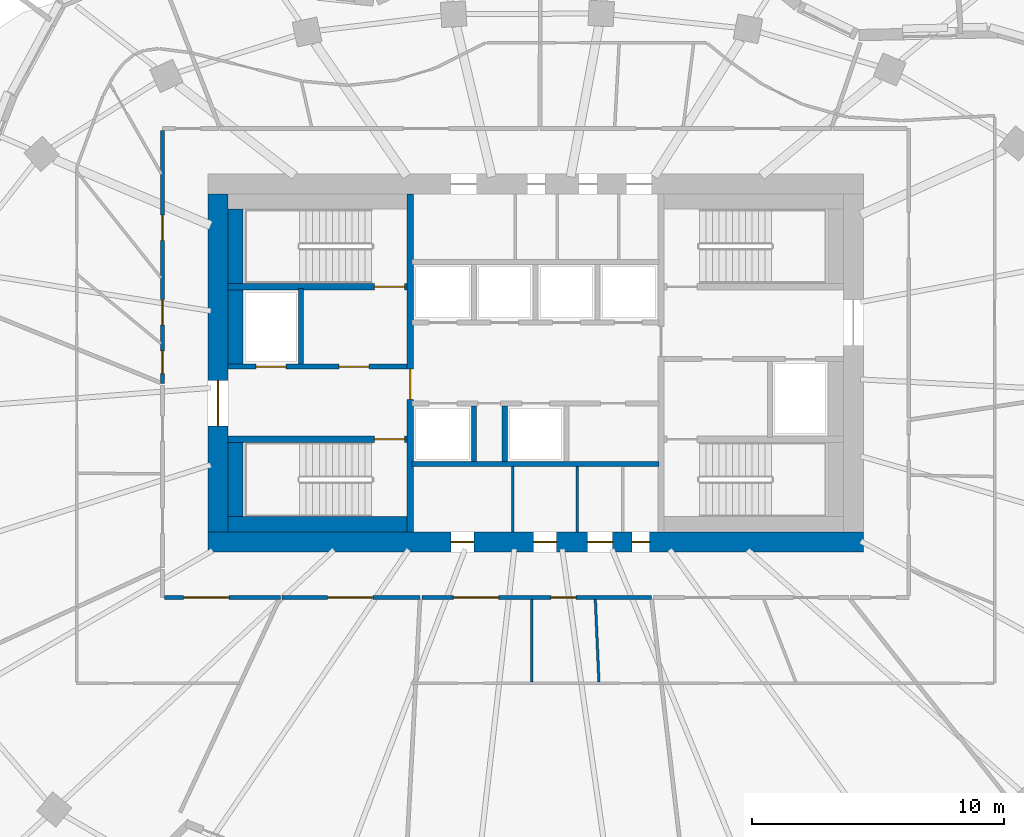
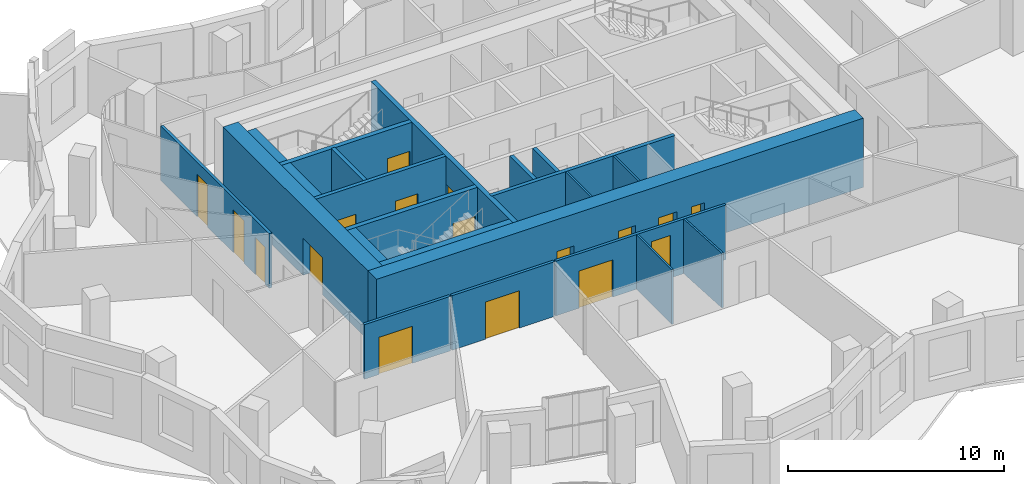
# One storey, part 6 of 13: 22 walls, 17 doors, 17 openings.
"""IFC4 building model written with IfcOpenShell, lengths in metres."""

import ifcopenshell
import ifcopenshell.guid

model = None  # the IFC model being written
_history = None  # IfcOwnerHistory: only IFC2X3 demands one
_inside = {}  # id of a spatial element -> (the spatial element, [elements in it])
_under = {}  # id of a project, library or spatial element -> (it, [spatial elements below it])
_declared = {}  # id of a project -> (the project, [libraries it declares])
_typed = {}  # id of a type object -> (the type object, [elements of that type])
_made_of = {}  # id of a material, layer set ... -> (it, [elements and type objects made of it])


def new_model(schema):
    """Start an empty IFC model of exactly this schema.

    Asked for "IFC4X3", IfcOpenShell would pick the latest addendum, in which some entities
    have other attributes; the version numbers below select the first issue.
    IFC2X3 requires an IfcOwnerHistory on every rooted entity: one is made here for all.
    """
    global model, _history
    if schema == "IFC4X3":
        model = ifcopenshell.file(schema_version=(4, 3, 0, 0))
    else:
        model = ifcopenshell.file(schema=schema)
    _inside.clear()
    _under.clear()
    _declared.clear()
    _typed.clear()
    _made_of.clear()
    _history = None
    if model.schema == "IFC2X3":
        org = make("IfcOrganization", Name="unknown")
        user = make(
            "IfcPersonAndOrganization",
            ThePerson=make("IfcPerson", FamilyName="unknown"),
            TheOrganization=org,
        )
        app = make(
            "IfcApplication",
            ApplicationDeveloper=org,
            Version="unknown",
            ApplicationFullName="unknown",
            ApplicationIdentifier="unknown",
        )
        _history = make(
            "IfcOwnerHistory",
            OwningUser=user,
            OwningApplication=app,
            ChangeAction="ADDED",
            CreationDate=0,
        )
    return model


def make(cls, **values):
    """One entity of the class cls with the attributes given. An attribute that is None is left unset."""
    return model.create_entity(
        cls, **{name: value for name, value in values.items() if value is not None}
    )


def rooted(cls, **values):
    """An entity with a GlobalId (a new one), such as an element, a storey or a relation."""
    return make(cls, GlobalId=ifcopenshell.guid.new(), OwnerHistory=_history, **values)


def si_unit(unit_type, name, prefix=None):
    """IfcSIUnit, for example si_unit("LENGTHUNIT", "METRE", prefix="MILLI")."""
    return make("IfcSIUnit", UnitType=unit_type, Prefix=prefix, Name=name)


def assignment(units):
    """IfcUnitAssignment: the units of a project."""
    return None if units is None else make("IfcUnitAssignment", Units=units)


def point(xyz):
    """IfcCartesianPoint."""
    return None if xyz is None else make("IfcCartesianPoint", Coordinates=xyz)


def direction(xyz):
    """IfcDirection."""
    return None if xyz is None else make("IfcDirection", DirectionRatios=xyz)


def frame(location, z_axis=None, x_axis=None):
    """IfcAxis2Placement3D, a coordinate frame: its origin and axes. An axis left out is left unset."""
    return make(
        "IfcAxis2Placement3D",
        Location=point(location),
        Axis=direction(z_axis),
        RefDirection=direction(x_axis),
    )


def frame_2d(location, x_axis=None):
    """IfcAxis2Placement2D, a coordinate frame in the plane: its origin and x axis."""
    return make(
        "IfcAxis2Placement2D", Location=point(location), RefDirection=direction(x_axis)
    )


def origin():
    """The frame at (0, 0, 0) with its axes left unset."""
    return frame((0.0, 0.0, 0.0))


def place(relative_to, where):
    """IfcLocalPlacement: puts the frame where relative to a parent placement (None: the world)."""
    return make(
        "IfcLocalPlacement", PlacementRelTo=relative_to, RelativePlacement=where
    )


def context(
    kind, dimensions, precision=None, world=None, true_north=None, identifier=None
):
    """IfcGeometricRepresentationContext, for example the 3D "Model" context."""
    return make(
        "IfcGeometricRepresentationContext",
        ContextIdentifier=identifier,
        ContextType=kind,
        CoordinateSpaceDimension=dimensions,
        Precision=precision,
        WorldCoordinateSystem=world,
        TrueNorth=true_north,
    )


def subcontext(parent, identifier, kind, view, scale=None):
    """IfcGeometricRepresentationSubContext, for example "Body" below "Model"."""
    return make(
        "IfcGeometricRepresentationSubContext",
        ContextIdentifier=identifier,
        ContextType=kind,
        ParentContext=parent,
        TargetScale=scale,
        TargetView=view,
    )


def project(units=None, contexts=None):
    """IfcProject with its units and contexts."""
    return rooted(
        "IfcProject",
        Name="project",
        RepresentationContexts=contexts,
        UnitsInContext=assignment(units),
    )


def spatial(cls, under=None, at=None, **own):
    """A site, building, storey or space (cls), placed at a placement, below another one or the project."""
    s = rooted(cls, ObjectPlacement=at, **own)
    if under is not None:
        _under.setdefault(under.id(), (under, []))[1].append(s)
    return s


def profile(cls, at=None, kind="AREA", **sizes):
    """A parametric profile (cls). Its sizes go by their IFC names, for example OverallWidth=200.0."""
    return make(cls, ProfileType=kind, Position=at, **sizes)


def rectangle(**sizes):
    """IfcRectangleProfileDef."""
    return profile("IfcRectangleProfileDef", **sizes)


def extrude(swept, where, along, depth):
    """IfcExtrudedAreaSolid: the profile swept, set in the frame where, extruded along a direction by depth."""
    return make(
        "IfcExtrudedAreaSolid",
        SweptArea=swept,
        Position=where,
        ExtrudedDirection=direction(along),
        Depth=depth,
    )


def shape(context_of_items, identifier, shape_type, items):
    """IfcShapeRepresentation: the items that make up one representation, for example the "Body"."""
    return make(
        "IfcShapeRepresentation",
        ContextOfItems=context_of_items,
        RepresentationIdentifier=identifier,
        RepresentationType=shape_type,
        Items=items,
    )


def material(Name=None, Category=None):
    """IfcMaterial."""
    return make("IfcMaterial", Name=Name, Category=Category)


def layer(
    of_material, thickness, ventilated=None, Name=None, Category=None, Priority=None
):
    """IfcMaterialLayer: one layer of a wall or slab, of a material (None: an air gap)."""
    return make(
        "IfcMaterialLayer",
        Material=of_material,
        LayerThickness=thickness,
        IsVentilated=ventilated,
        Name=Name,
        Category=Category,
        Priority=Priority,
    )


def layer_set(layers, Name=None):
    """IfcMaterialLayerSet."""
    return make("IfcMaterialLayerSet", MaterialLayers=layers, LayerSetName=Name)


def made_of(thing, what):
    """Note that an element or type object is made of a material, layer set ...; save() writes the relation."""
    if what is not None:
        _made_of.setdefault(what.id(), (what, []))[1].append(thing)
    return thing


def type_object(cls, material=None, **own):
    """A type object (cls), such as IfcWallType, which elements share."""
    return made_of(rooted(cls, **own), material)


def element(
    cls,
    number,
    at=None,
    inside=None,
    cuts=None,
    type_object=None,
    material=None,
    context=None,
    identifier="Body",
    shape_type=None,
    held_by="IfcProductDefinitionShape",
    body=None,
    shapes=None,
    **own,
):
    """One element of the class cls, such as IfcWall. Its Tag is "e" and its number.

    at: its placement. inside: the storey or other place that contains it. cuts: it is an
    opening in that element (IfcRelVoidsElement). A single representation is given by context,
    identifier, shape_type and body (its items); several are given by shapes. held_by: the class
    of the entity that holds the representations. save() writes the other relations.
    """
    e = rooted(cls, Tag="e%d" % number, ObjectPlacement=at, **own)
    if body is not None:
        shapes = [shape(context, identifier, shape_type, body)]
    if shapes is not None:
        e.Representation = make(held_by, Representations=shapes)
    if inside is not None:
        _inside.setdefault(inside.id(), (inside, []))[1].append(e)
    if cuts is not None:
        rooted(
            "IfcRelVoidsElement", RelatingBuildingElement=cuts, RelatedOpeningElement=e
        )
    if type_object is not None:
        _typed.setdefault(type_object.id(), (type_object, []))[1].append(e)
    return made_of(e, material)


def fill(opening, filler):
    """IfcRelFillsElement: the door or window that sits in an opening."""
    return rooted(
        "IfcRelFillsElement",
        RelatingOpeningElement=opening,
        RelatedBuildingElement=filler,
    )


def aggregate(whole, parts):
    """IfcRelAggregates: a whole, such as a stair, and the parts it consists of."""
    return rooted("IfcRelAggregates", RelatingObject=whole, RelatedObjects=parts)


def save(model, path):
    """Write the relations noted so far, then the file.

    IfcRelAggregates (storeys below a building ...), IfcRelContainedInSpatialStructure (elements
    in a storey), IfcRelDefinesByType, IfcRelAssociatesMaterial and IfcRelDeclares: one each for
    every whole, place, type object, material and project.
    """
    for whole, parts in _under.values():
        aggregate(whole, parts)
    for where, things in _inside.values():
        rooted(
            "IfcRelContainedInSpatialStructure",
            RelatedElements=things,
            RelatingStructure=where,
        )
    for kind, things in _typed.values():
        rooted("IfcRelDefinesByType", RelatedObjects=things, RelatingType=kind)
    for what, things in _made_of.values():
        rooted("IfcRelAssociatesMaterial", RelatedObjects=things, RelatingMaterial=what)
    for by, libraries in _declared.values():
        rooted("IfcRelDeclares", RelatingContext=by, RelatedDefinitions=libraries)
    model.write(path)


model = new_model("IFC4")

# Units and contexts
model_context = context("Model", 3, precision=1e-05, world=origin(), true_north=direction((0.0, 1.0)))
body_context = subcontext(model_context, "Body", "Model", "MODEL_VIEW")
ifc_project = project(units=[si_unit("LENGTHUNIT", "METRE"), si_unit("AREAUNIT", "SQUARE_METRE"), si_unit("VOLUMEUNIT", "CUBIC_METRE"), si_unit("PLANEANGLEUNIT", "RADIAN"), si_unit("MASSUNIT", "GRAM", prefix="KILO")], contexts=[model_context])

# Site, building, storey
site_placement = place(None, origin())
site = spatial("IfcSite", under=ifc_project, at=site_placement, CompositionType="ELEMENT")
building_placement = place(site_placement, origin())
building = spatial("IfcBuilding", under=site, at=building_placement, Name="Rubra Terraces Tower", CompositionType="ELEMENT")
storey_placement = place(building_placement, frame((0.0, 0.0, 252.60009765625)))
storey = spatial("IfcBuildingStorey", under=building, at=storey_placement, Name="L62", CompositionType="ELEMENT", Elevation=252.60009765625)

# Wall, openings, doors
ifc_material_1 = material(Name="Concrete C50", Category="concrete")
ifc_layer_1 = layer(ifc_material_1, 0.800048828125)
ifc_layer_set_1 = layer_set([ifc_layer_1], Name="Concrete C50")
wall_type_1 = type_object("IfcWallType", Name="CORE WALL 800 C50", PredefinedType="SHEAR", material=ifc_layer_set_1)
wall_1_placement = place(storey_placement, frame((-13.0, -2.60009765625, 0.0), z_axis=(0.0, 0.0, 1.0), x_axis=(1.0, 0.0, 0.0)))
wall_1 = element("IfcWall", 1, at=wall_1_placement, inside=storey, type_object=wall_type_1, Name="CORE WALL S L62", PredefinedType="SHEAR", context=body_context, shape_type="SweptSolid", body=[
    extrude(rectangle(XDim=26.0, YDim=0.800048828125, at=frame_2d((13.0, 0.0))), origin(), (0.0, 0.0, 1.0), 3.89990234375),
])
opening_1_placement = place(wall_1_placement, frame((9.64990234375, 0.0, 0.0)))
opening_1 = element("IfcOpeningElement", 2, at=opening_1_placement, cuts=wall_1, Name="Opening L62.C21", PredefinedType="OPENING", context=body_context, shape_type="SweptSolid", body=[
    extrude(rectangle(XDim=0.89990234375, YDim=2.10009765625, at=frame_2d((0.449951171875, 1.050048828125))), frame((0.0, 0.409912109375, 0.0), z_axis=(0.0, -1.0, 0.0), x_axis=(1.0, 0.0, 0.0)), (0.0, 0.0, 1.0), 0.820068359375),
])
opening_2_placement = place(wall_1_placement, frame((12.925048828125, 0.0, 0.0)))
opening_2 = element("IfcOpeningElement", 3, at=opening_2_placement, cuts=wall_1, Name="Opening L62.C22", PredefinedType="OPENING", context=body_context, shape_type="SweptSolid", body=[
    extrude(rectangle(XDim=0.89990234375, YDim=2.10009765625, at=frame_2d((0.449951171875, 1.050048828125))), frame((0.0, 0.409912109375, 0.0), z_axis=(0.0, -1.0, 0.0), x_axis=(1.0, 0.0, 0.0)), (0.0, 0.0, 1.0), 0.820068359375),
])
opening_3_placement = place(wall_1_placement, frame((15.050048828125, 0.0, 0.0)))
opening_3 = element("IfcOpeningElement", 4, at=opening_3_placement, cuts=wall_1, Name="Opening L62.C23", PredefinedType="OPENING", context=body_context, shape_type="SweptSolid", body=[
    extrude(rectangle(XDim=1.0, YDim=2.10009765625, at=frame_2d((0.5, 1.050048828125))), frame((0.0, 0.409912109375, 0.0), z_axis=(0.0, -1.0, 0.0), x_axis=(1.0, 0.0, 0.0)), (0.0, 0.0, 1.0), 0.820068359375),
])
opening_4_placement = place(wall_1_placement, frame((16.824951171875, 0.0, 0.0)))
opening_4 = element("IfcOpeningElement", 5, at=opening_4_placement, cuts=wall_1, Name="Opening L62.C24", PredefinedType="OPENING", context=body_context, shape_type="SweptSolid", body=[
    extrude(rectangle(XDim=0.699951171875, YDim=2.10009765625, at=frame_2d((0.35009765625, 1.050048828125))), frame((0.0, 0.409912109375, 0.0), z_axis=(0.0, -1.0, 0.0), x_axis=(1.0, 0.0, 0.0)), (0.0, 0.0, 1.0), 0.820068359375),
])
ifc_material_2 = material(Name="Painted steel", Category="steel")
door_type_1 = type_object("IfcDoorType", Name="Fire door 1000x2100 single", OperationType="NOTDEFINED", PredefinedType="DOOR", material=ifc_material_2)
door_1_placement = place(opening_3_placement, origin())
door_1 = element("IfcDoor", 6, at=door_1_placement, inside=storey, type_object=door_type_1, Name="Accessible WC door", OperationType="SINGLE_SWING_LEFT", OverallHeight=2.10009765625, OverallWidth=1.0, PredefinedType="DOOR", context=body_context, shape_type="SweptSolid", body=[
    extrude(rectangle(XDim=1.0, YDim=2.10009765625, at=frame_2d((0.5, 1.050048828125))), frame((0.0, 0.02490234375, 0.0), z_axis=(0.0, -1.0, 0.0), x_axis=(1.0, 0.0, 0.0)), (0.0, 0.0, 1.0), 0.050048828125),
])
fill(opening_3, door_1)
door_type_2 = type_object("IfcDoorType", Name="Fire door 900x2100 single", OperationType="NOTDEFINED", PredefinedType="DOOR", material=ifc_material_2)
door_2_placement = place(opening_1_placement, origin())
door_2 = element("IfcDoor", 7, at=door_2_placement, inside=storey, type_object=door_type_2, Name="Ladies WC door", OperationType="SINGLE_SWING_LEFT", OverallHeight=2.10009765625, OverallWidth=0.89990234375, PredefinedType="DOOR", context=body_context, shape_type="SweptSolid", body=[
    extrude(rectangle(XDim=0.89990234375, YDim=2.10009765625, at=frame_2d((0.449951171875, 1.050048828125))), frame((0.0, 0.02490234375, 0.0), z_axis=(0.0, -1.0, 0.0), x_axis=(1.0, 0.0, 0.0)), (0.0, 0.0, 1.0), 0.050048828125),
])
fill(opening_1, door_2)
door_3_placement = place(opening_2_placement, origin())
door_3 = element("IfcDoor", 8, at=door_3_placement, inside=storey, type_object=door_type_2, Name="Gents WC door", OperationType="SINGLE_SWING_RIGHT", OverallHeight=2.10009765625, OverallWidth=0.89990234375, PredefinedType="DOOR", context=body_context, shape_type="SweptSolid", body=[
    extrude(rectangle(XDim=0.89990234375, YDim=2.10009765625, at=frame_2d((0.449951171875, 1.050048828125))), frame((0.0, 0.02490234375, 0.0), z_axis=(0.0, -1.0, 0.0), x_axis=(1.0, 0.0, 0.0)), (0.0, 0.0, 1.0), 0.050048828125),
])
fill(opening_2, door_3)
door_type_3 = type_object("IfcDoorType", Name="Riser access door 700x2100 single", OperationType="NOTDEFINED", PredefinedType="DOOR", material=ifc_material_2)
door_4_placement = place(opening_4_placement, origin())
door_4 = element("IfcDoor", 9, at=door_4_placement, inside=storey, type_object=door_type_3, Name="Water and drainage riser door", OperationType="SINGLE_SWING_RIGHT", OverallHeight=2.10009765625, OverallWidth=0.699951171875, PredefinedType="DOOR", context=body_context, shape_type="SweptSolid", body=[
    extrude(rectangle(XDim=0.699951171875, YDim=2.10009765625, at=frame_2d((0.35009765625, 1.050048828125))), frame((0.0, 0.02490234375, 0.0), z_axis=(0.0, -1.0, 0.0), x_axis=(1.0, 0.0, 0.0)), (0.0, 0.0, 1.0), 0.050048828125),
])
fill(opening_4, door_4)

# Wall, opening, door
wall_2_placement = place(storey_placement, frame((-12.60009765625, -2.199951171875, 0.0), z_axis=(0.0, 0.0, 1.0), x_axis=(0.0, 1.0, 0.0)))
wall_2 = element("IfcWall", 10, at=wall_2_placement, inside=storey, type_object=wall_type_1, Name="CORE WALL W L62", PredefinedType="SHEAR", context=body_context, shape_type="SweptSolid", body=[
    extrude(rectangle(XDim=13.39990234375, YDim=0.800048828125, at=frame_2d((6.699951171875, 0.0))), origin(), (0.0, 0.0, 1.0), 3.89990234375),
])
opening_5_placement = place(wall_2_placement, frame((4.199951171875, 0.0, 0.0)))
opening_5 = element("IfcOpeningElement", 11, at=opening_5_placement, cuts=wall_2, Name="Opening L62.C01", PredefinedType="OPENING", context=body_context, shape_type="SweptSolid", body=[
    extrude(rectangle(XDim=1.800048828125, YDim=2.10009765625, at=frame_2d((0.89990234375, 1.050048828125))), frame((0.0, 0.409912109375, 0.0), z_axis=(0.0, -1.0, 0.0), x_axis=(1.0, 0.0, 0.0)), (0.0, 0.0, 1.0), 0.820068359375),
])
door_type_4 = type_object("IfcDoorType", Name="Fire door 1800x2100 double", OperationType="NOTDEFINED", PredefinedType="DOOR", material=ifc_material_2)
door_5_placement = place(opening_5_placement, origin())
door_5 = element("IfcDoor", 12, at=door_5_placement, inside=storey, type_object=door_type_4, Name="Core entrance door FF1", OperationType="DOUBLE_DOOR_SINGLE_SWING", OverallHeight=2.10009765625, OverallWidth=1.800048828125, PredefinedType="DOOR", context=body_context, shape_type="SweptSolid", body=[
    extrude(rectangle(XDim=1.800048828125, YDim=2.10009765625, at=frame_2d((0.89990234375, 1.050048828125))), frame((0.0, 0.02490234375, 0.0), z_axis=(0.0, -1.0, 0.0), x_axis=(1.0, 0.0, 0.0)), (0.0, 0.0, 1.0), 0.050048828125),
])
fill(opening_5, door_5)

# Wall, openings, doors
ifc_material_3 = material(Name="Plasterboard on steel stud, mineral wool infill", Category="steel")
ifc_layer_2 = layer(ifc_material_3, 0.14990234375)
ifc_layer_set_2 = layer_set([ifc_layer_2], Name="Plasterboard on steel stud, mineral wool infill")
wall_type_2 = type_object("IfcWallType", Name="CORRIDOR PARTITION 150", PredefinedType="PARTITIONING", material=ifc_layer_set_2)
wall_3_placement = place(storey_placement, frame((-14.800048828125, 13.72509765625, 0.0), z_axis=(0.0, 0.0, 1.0), x_axis=(0.0, -1.0, 0.0)))
wall_3 = element("IfcWall", 13, at=wall_3_placement, inside=storey, type_object=wall_type_2, Name="PARTITION", PredefinedType="PARTITIONING", context=body_context, shape_type="SweptSolid", body=[
    extrude(rectangle(XDim=10.038330078125, YDim=0.14990234375, at=frame_2d((5.01904296875, 0.0))), origin(), (0.0, 0.0, 1.0), 3.083984375),
])
opening_6_placement = place(wall_3_placement, frame((3.361083984375, 0.0, 0.0)))
opening_6 = element("IfcOpeningElement", 14, at=opening_6_placement, cuts=wall_3, Name="Opening 62-110", PredefinedType="OPENING", context=body_context, shape_type="SweptSolid", body=[
    extrude(rectangle(XDim=1.0, YDim=2.39990234375, at=frame_2d((0.5, 1.199951171875))), frame((0.0, 0.0849609375, 0.0), z_axis=(0.0, -1.0, 0.0), x_axis=(1.0, 0.0, 0.0)), (0.0, 0.0, 1.0), 0.169921875),
])
opening_7_placement = place(wall_3_placement, frame((6.7119140625, 0.0, 0.0)))
opening_7 = element("IfcOpeningElement", 15, at=opening_7_placement, cuts=wall_3, Name="Opening 62-111", PredefinedType="OPENING", context=body_context, shape_type="SweptSolid", body=[
    extrude(rectangle(XDim=1.0, YDim=2.39990234375, at=frame_2d((0.5, 1.199951171875))), frame((0.0, 0.0849609375, 0.0), z_axis=(0.0, -1.0, 0.0), x_axis=(1.0, 0.0, 0.0)), (0.0, 0.0, 1.0), 0.169921875),
])
opening_8_placement = place(wall_3_placement, frame((8.75, 0.0, 0.0)))
opening_8 = element("IfcOpeningElement", 16, at=opening_8_placement, cuts=wall_3, Name="Opening 62-132", PredefinedType="OPENING", context=body_context, shape_type="SweptSolid", body=[
    extrude(rectangle(XDim=0.89990234375, YDim=2.10009765625, at=frame_2d((0.449951171875, 1.050048828125))), frame((0.0, 0.0849609375, 0.0), z_axis=(0.0, -1.0, 0.0), x_axis=(1.0, 0.0, 0.0)), (0.0, 0.0, 1.0), 0.169921875),
])
ifc_material_4 = material(Name="Painted timber door leaf", Category="wood")
door_type_5 = type_object("IfcDoorType", Name="BATHROOM DOOR 900 X 2100", OperationType="SINGLE_SWING_LEFT", PredefinedType="DOOR", material=ifc_material_4)
door_6_placement = place(opening_8_placement, origin())
door_6 = element("IfcDoor", 17, at=door_6_placement, inside=storey, type_object=door_type_5, Name="DOOR 62-132", OperationType="SINGLE_SWING_RIGHT", OverallHeight=2.10009765625, OverallWidth=0.89990234375, PredefinedType="DOOR", context=body_context, shape_type="SweptSolid", body=[
    extrude(rectangle(XDim=0.89990234375, YDim=2.10009765625, at=frame_2d((0.449951171875, 1.050048828125))), frame((0.0, 0.02490234375, 0.0), z_axis=(0.0, -1.0, 0.0), x_axis=(1.0, 0.0, 0.0)), (0.0, 0.0, 1.0), 0.050048828125),
])
fill(opening_8, door_6)
ifc_material_5 = material(Name="Glazed aluminium meeting door leaf", Category="aluminium")
door_type_6 = type_object("IfcDoorType", Name="MEETING ROOM GLAZED DOOR 1000 X 2400", OperationType="SINGLE_SWING_LEFT", PredefinedType="DOOR", material=ifc_material_5)
door_7_placement = place(opening_6_placement, origin())
door_7 = element("IfcDoor", 18, at=door_7_placement, inside=storey, type_object=door_type_6, Name="DOOR 62-110", OperationType="SINGLE_SWING_RIGHT", OverallHeight=2.39990234375, OverallWidth=1.0, PredefinedType="DOOR", context=body_context, shape_type="SweptSolid", body=[
    extrude(rectangle(XDim=1.0, YDim=2.39990234375, at=frame_2d((0.5, 1.199951171875))), frame((0.0, 0.02490234375, 0.0), z_axis=(0.0, -1.0, 0.0), x_axis=(1.0, 0.0, 0.0)), (0.0, 0.0, 1.0), 0.050048828125),
])
fill(opening_6, door_7)
door_8_placement = place(opening_7_placement, origin())
door_8 = element("IfcDoor", 19, at=door_8_placement, inside=storey, type_object=door_type_6, Name="DOOR 62-111", OperationType="SINGLE_SWING_RIGHT", OverallHeight=2.39990234375, OverallWidth=1.0, PredefinedType="DOOR", context=body_context, shape_type="SweptSolid", body=[
    extrude(rectangle(XDim=1.0, YDim=2.39990234375, at=frame_2d((0.5, 1.199951171875))), frame((0.0, 0.02490234375, 0.0), z_axis=(0.0, -1.0, 0.0), x_axis=(1.0, 0.0, 0.0)), (0.0, 0.0, 1.0), 0.050048828125),
])
fill(opening_7, door_8)

# Wall, opening, door
wall_4_placement = place(storey_placement, frame((-14.72509765625, -4.800048828125, 0.0), z_axis=(0.0, 0.0, 1.0), x_axis=(1.0, 0.0, 0.0)))
wall_4 = element("IfcWall", 20, at=wall_4_placement, inside=storey, type_object=wall_type_2, Name="PARTITION", PredefinedType="PARTITIONING", context=body_context, shape_type="SweptSolid", body=[
    extrude(rectangle(XDim=4.599853515625, YDim=0.14990234375, at=frame_2d((2.2998046875, 0.0))), origin(), (0.0, 0.0, 1.0), 3.083984375),
])
opening_9_placement = place(wall_4_placement, frame((0.76904296875, 0.0, 0.0)))
opening_9 = element("IfcOpeningElement", 21, at=opening_9_placement, cuts=wall_4, Name="Opening 62-116", PredefinedType="OPENING", context=body_context, shape_type="SweptSolid", body=[
    extrude(rectangle(XDim=1.800048828125, YDim=2.10009765625, at=frame_2d((0.89990234375, 1.050048828125))), frame((0.0, 0.0849609375, 0.0), z_axis=(0.0, -1.0, 0.0), x_axis=(1.0, 0.0, 0.0)), (0.0, 0.0, 1.0), 0.169921875),
])
ifc_material_6 = material(Name="Painted timber door leaf, double", Category="wood")
door_type_7 = type_object("IfcDoorType", Name="ROOM DOUBLE DOOR 1800 X 2100", OperationType="DOUBLE_DOOR_SINGLE_SWING", PredefinedType="DOOR", material=ifc_material_6)
door_9_placement = place(opening_9_placement, origin())
door_9 = element("IfcDoor", 22, at=door_9_placement, inside=storey, type_object=door_type_7, Name="DOOR 62-116", OperationType="DOUBLE_DOOR_SINGLE_SWING", OverallHeight=2.10009765625, OverallWidth=1.800048828125, PredefinedType="DOOR", context=body_context, shape_type="SweptSolid", body=[
    extrude(rectangle(XDim=1.800048828125, YDim=2.10009765625, at=frame_2d((0.89990234375, 1.050048828125))), frame((0.0, 0.02490234375, 0.0), z_axis=(0.0, -1.0, 0.0), x_axis=(1.0, 0.0, 0.0)), (0.0, 0.0, 1.0), 0.050048828125),
])
fill(opening_9, door_9)

wall_5_placement = place(storey_placement, frame((-10.05029296875, -4.800048828125, 0.0), z_axis=(0.0, 0.0, 1.0), x_axis=(1.0, 0.0, 0.0)))
wall_5 = element("IfcWall", 23, at=wall_5_placement, inside=storey, type_object=wall_type_2, Name="PARTITION", PredefinedType="PARTITIONING", context=body_context, shape_type="SweptSolid", body=[
    extrude(rectangle(XDim=5.471435546875, YDim=0.14990234375, at=frame_2d((2.73583984375, 0.0))), origin(), (0.0, 0.0, 1.0), 3.083984375),
])
opening_10_placement = place(wall_5_placement, frame((1.798095703125, 0.0, 0.0)))
opening_10 = element("IfcOpeningElement", 24, at=opening_10_placement, cuts=wall_5, Name="Opening 62-118", PredefinedType="OPENING", context=body_context, shape_type="SweptSolid", body=[
    extrude(rectangle(XDim=1.800048828125, YDim=2.10009765625, at=frame_2d((0.89990234375, 1.050048828125))), frame((0.0, 0.0849609375, 0.0), z_axis=(0.0, -1.0, 0.0), x_axis=(1.0, 0.0, 0.0)), (0.0, 0.0, 1.0), 0.169921875),
])
door_10_placement = place(opening_10_placement, origin())
door_10 = element("IfcDoor", 25, at=door_10_placement, inside=storey, type_object=door_type_7, Name="DOOR 62-118", OperationType="DOUBLE_DOOR_SINGLE_SWING", OverallHeight=2.10009765625, OverallWidth=1.800048828125, PredefinedType="DOOR", context=body_context, shape_type="SweptSolid", body=[
    extrude(rectangle(XDim=1.800048828125, YDim=2.10009765625, at=frame_2d((0.89990234375, 1.050048828125))), frame((0.0, 0.02490234375, 0.0), z_axis=(0.0, -1.0, 0.0), x_axis=(1.0, 0.0, 0.0)), (0.0, 0.0, 1.0), 0.050048828125),
])
fill(opening_10, door_10)

# Wall, openings, doors
wall_6_placement = place(storey_placement, frame((-4.50390625, -4.800048828125, 0.0), z_axis=(0.0, 0.0, 1.0), x_axis=(1.0, 0.0, 0.0)))
wall_6 = element("IfcWall", 26, at=wall_6_placement, inside=storey, type_object=wall_type_2, Name="PARTITION", PredefinedType="PARTITIONING", context=body_context, shape_type="SweptSolid", body=[
    extrude(rectangle(XDim=9.09521484375, YDim=0.14990234375, at=frame_2d((4.547607421875, 0.0))), origin(), (0.0, 0.0, 1.0), 3.083984375),
])
opening_11_placement = place(wall_6_placement, frame((1.237060546875, 0.0, 0.0)))
opening_11 = element("IfcOpeningElement", 27, at=opening_11_placement, cuts=wall_6, Name="Opening 62-119", PredefinedType="OPENING", context=body_context, shape_type="SweptSolid", body=[
    extrude(rectangle(XDim=1.800048828125, YDim=2.10009765625, at=frame_2d((0.89990234375, 1.050048828125))), frame((0.0, 0.0849609375, 0.0), z_axis=(0.0, -1.0, 0.0), x_axis=(1.0, 0.0, 0.0)), (0.0, 0.0, 1.0), 0.169921875),
])
opening_12_placement = place(wall_6_placement, frame((5.10888671875, 0.0, 0.0)))
opening_12 = element("IfcOpeningElement", 28, at=opening_12_placement, cuts=wall_6, Name="Opening 62-121", PredefinedType="OPENING", context=body_context, shape_type="SweptSolid", body=[
    extrude(rectangle(XDim=1.0, YDim=2.39990234375, at=frame_2d((0.5, 1.199951171875))), frame((0.0, 0.0849609375, 0.0), z_axis=(0.0, -1.0, 0.0), x_axis=(1.0, 0.0, 0.0)), (0.0, 0.0, 1.0), 0.169921875),
])
door_11_placement = place(opening_12_placement, origin())
door_11 = element("IfcDoor", 29, at=door_11_placement, inside=storey, type_object=door_type_6, Name="DOOR 62-121", OperationType="SINGLE_SWING_RIGHT", OverallHeight=2.39990234375, OverallWidth=1.0, PredefinedType="DOOR", context=body_context, shape_type="SweptSolid", body=[
    extrude(rectangle(XDim=1.0, YDim=2.39990234375, at=frame_2d((0.5, 1.199951171875))), frame((0.0, 0.02490234375, 0.0), z_axis=(0.0, -1.0, 0.0), x_axis=(1.0, 0.0, 0.0)), (0.0, 0.0, 1.0), 0.050048828125),
])
fill(opening_12, door_11)
door_12_placement = place(opening_11_placement, origin())
door_12 = element("IfcDoor", 30, at=door_12_placement, inside=storey, type_object=door_type_7, Name="DOOR 62-119", OperationType="DOUBLE_DOOR_SINGLE_SWING", OverallHeight=2.10009765625, OverallWidth=1.800048828125, PredefinedType="DOOR", context=body_context, shape_type="SweptSolid", body=[
    extrude(rectangle(XDim=1.800048828125, YDim=2.10009765625, at=frame_2d((0.89990234375, 1.050048828125))), frame((0.0, 0.02490234375, 0.0), z_axis=(0.0, -1.0, 0.0), x_axis=(1.0, 0.0, 0.0)), (0.0, 0.0, 1.0), 0.050048828125),
])
fill(opening_11, door_12)

# Walls
ifc_material_7 = material(Name="Concrete C40", Category="concrete")
ifc_layer_3 = layer(ifc_material_7, 0.60009765625)
ifc_layer_set_3 = layer_set([ifc_layer_3], Name="Concrete C40")
wall_type_3 = type_object("IfcWallType", Name="Core lining wall 600 concrete", PredefinedType="SOLIDWALL", material=ifc_layer_set_3)
wall_7_placement = place(storey_placement, frame((-12.199951171875, -1.89990234375, 0.0), z_axis=(0.0, 0.0, 1.0), x_axis=(1.0, 0.0, 0.0)))
element("IfcWall", 31, at=wall_7_placement, inside=storey, type_object=wall_type_3, Name="CORE LINING WALL L62", PredefinedType="SOLIDWALL", context=body_context, shape_type="SweptSolid", body=[
    extrude(rectangle(XDim=7.099853515625, YDim=0.60009765625, at=frame_2d((3.5498046875, 0.0))), origin(), (0.0, 0.0, 1.0), 3.699951171875),
])
wall_8_placement = place(storey_placement, frame((-11.89990234375, -1.60009765625, 0.0), z_axis=(0.0, 0.0, 1.0), x_axis=(0.0, 1.0, 0.0)))
element("IfcWall", 32, at=wall_8_placement, inside=storey, type_object=wall_type_3, Name="CORE LINING WALL L62", PredefinedType="SOLIDWALL", context=body_context, shape_type="SweptSolid", body=[
    extrude(rectangle(XDim=2.9501953125, YDim=0.60009765625, at=frame_2d((1.47509765625, 0.0))), origin(), (0.0, 0.0, 1.0), 3.699951171875),
])
wall_9_placement = place(storey_placement, frame((-11.89990234375, 4.449951171875, 0.0), z_axis=(0.0, 0.0, 1.0), x_axis=(0.0, 1.0, 0.0)))
element("IfcWall", 33, at=wall_9_placement, inside=storey, type_object=wall_type_3, Name="CORE LINING WALL L62", PredefinedType="SOLIDWALL", context=body_context, shape_type="SweptSolid", body=[
    extrude(rectangle(XDim=3.0, YDim=0.60009765625, at=frame_2d((1.5, 0.0))), origin(), (0.0, 0.0, 1.0), 3.699951171875),
])
wall_10_placement = place(storey_placement, frame((-11.89990234375, 7.64990234375, 0.0), z_axis=(0.0, 0.0, 1.0), x_axis=(0.0, 1.0, 0.0)))
element("IfcWall", 34, at=wall_10_placement, inside=storey, type_object=wall_type_3, Name="CORE LINING WALL L62", PredefinedType="SOLIDWALL", context=body_context, shape_type="SweptSolid", body=[
    extrude(rectangle(XDim=2.9501953125, YDim=0.60009765625, at=frame_2d((1.47509765625, 0.0))), origin(), (0.0, 0.0, 1.0), 3.699951171875),
])

# Wall, openings, doors
ifc_material_8 = material(Name="Concrete C30", Category="concrete")
ifc_layer_4 = layer(ifc_material_8, 0.199951171875)
ifc_layer_set_4 = layer_set([ifc_layer_4], Name="Concrete C30")
wall_type_4 = type_object("IfcWallType", Name="Core wall 200 concrete", PredefinedType="SOLIDWALL", material=ifc_layer_set_4)
wall_11_placement = place(storey_placement, frame((-12.199951171875, 4.35009765625, 0.0), z_axis=(0.0, 0.0, 1.0), x_axis=(1.0, 0.0, 0.0)))
wall_11 = element("IfcWall", 35, at=wall_11_placement, inside=storey, type_object=wall_type_4, Name="STAIR WALL L62", PredefinedType="SOLIDWALL", context=body_context, shape_type="SweptSolid", body=[
    extrude(rectangle(XDim=7.099853515625, YDim=0.199951171875, at=frame_2d((3.5498046875, 0.0))), origin(), (0.0, 0.0, 1.0), 3.699951171875),
])
opening_13_placement = place(wall_11_placement, frame((4.39990234375, 0.0, 0.0)))
opening_13 = element("IfcOpeningElement", 36, at=opening_13_placement, cuts=wall_11, Name="Opening L62.C05", PredefinedType="OPENING", context=body_context, shape_type="SweptSolid", body=[
    extrude(rectangle(XDim=1.199951171875, YDim=2.10009765625, at=frame_2d((0.60009765625, 1.050048828125))), frame((0.0, 0.10986328125, 0.0), z_axis=(0.0, -1.0, 0.0), x_axis=(1.0, 0.0, 0.0)), (0.0, 0.0, 1.0), 0.219970703125),
])
opening_14_placement = place(wall_11_placement, frame((1.10009765625, 0.0, 0.0)))
opening_14 = element("IfcOpeningElement", 37, at=opening_14_placement, cuts=wall_11, Name="Opening L62.C11", PredefinedType="OPENING", context=body_context, shape_type="SweptSolid", body=[
    extrude(rectangle(XDim=1.199951171875, YDim=2.10009765625, at=frame_2d((0.60009765625, 1.050048828125))), frame((0.0, 0.10986328125, 0.0), z_axis=(0.0, -1.0, 0.0), x_axis=(1.0, 0.0, 0.0)), (0.0, 0.0, 1.0), 0.219970703125),
])
door_type_8 = type_object("IfcDoorType", Name="Fire door 1200x2100 single", OperationType="NOTDEFINED", PredefinedType="DOOR", material=ifc_material_2)
door_13_placement = place(opening_13_placement, origin())
door_13 = element("IfcDoor", 38, at=door_13_placement, inside=storey, type_object=door_type_8, Name="Stair vestibule door S2", OperationType="SINGLE_SWING_LEFT", OverallHeight=2.10009765625, OverallWidth=1.199951171875, PredefinedType="DOOR", context=body_context, shape_type="SweptSolid", body=[
    extrude(rectangle(XDim=1.199951171875, YDim=2.10009765625, at=frame_2d((0.60009765625, 1.050048828125))), frame((0.0, 0.02490234375, 0.0), z_axis=(0.0, -1.0, 0.0), x_axis=(1.0, 0.0, 0.0)), (0.0, 0.0, 1.0), 0.050048828125),
])
fill(opening_13, door_13)
ifc_material_9 = material(Name="Stainless steel", Category="steel")
door_type_9 = type_object("IfcDoorType", Name="Lift landing door 1200x2100", OperationType="NOTDEFINED", PredefinedType="DOOR", material=ifc_material_9)
door_14_placement = place(opening_14_placement, origin())
door_14 = element("IfcDoor", 39, at=door_14_placement, inside=storey, type_object=door_type_9, Name="Landing door FF1", OperationType="SLIDING_TO_RIGHT", OverallHeight=2.10009765625, OverallWidth=1.199951171875, PredefinedType="DOOR", context=body_context, shape_type="SweptSolid", body=[
    extrude(rectangle(XDim=1.199951171875, YDim=2.10009765625, at=frame_2d((0.60009765625, 1.050048828125))), frame((0.0, 0.02490234375, 0.0), z_axis=(0.0, -1.0, 0.0), x_axis=(1.0, 0.0, 0.0)), (0.0, 0.0, 1.0), 0.050048828125),
])
fill(opening_14, door_14)

# Walls
wall_12_placement = place(storey_placement, frame((-9.300048828125, 4.449951171875, 0.0), z_axis=(0.0, 0.0, 1.0), x_axis=(0.0, 1.0, 0.0)))
element("IfcWall", 40, at=wall_12_placement, inside=storey, type_object=wall_type_4, Name="STAIR WALL L62", PredefinedType="SOLIDWALL", context=body_context, shape_type="SweptSolid", body=[
    extrude(rectangle(XDim=3.0, YDim=0.199951171875, at=frame_2d((1.5, 0.0))), origin(), (0.0, 0.0, 1.0), 3.699951171875),
])
wall_13_placement = place(storey_placement, frame((-4.89990234375, 0.5, 0.0), z_axis=(0.0, 0.0, 1.0), x_axis=(1.0, 0.0, 0.0)))
element("IfcWall", 41, at=wall_13_placement, inside=storey, type_object=wall_type_4, Name="LIFT SHAFT WALL L62", PredefinedType="SOLIDWALL", context=body_context, shape_type="SweptSolid", body=[
    extrude(rectangle(XDim=9.7998046875, YDim=0.199951171875, at=frame_2d((4.89990234375, 0.0))), origin(), (0.0, 0.0, 1.0), 3.699951171875),
])
for number, where, z_axis, x_axis, name in (
    (42, (-2.449951171875, 0.60009765625, 0.0), (0.0, 0.0, 1.0), (0.0, 1.0, 0.0), "LIFT SHAFT WALL L62"),
    (43, (-1.22509765625, 0.60009765625, 0.0), (0.0, 0.0, 1.0), (0.0, 1.0, 0.0), "LIFT SHAFT WALL L62"),
):
    element("IfcWall", number, at=place(storey_placement, frame(where, z_axis=z_axis, x_axis=x_axis)), inside=storey, type_object=wall_type_4, Name=name, PredefinedType="SOLIDWALL", context=body_context, shape_type="SweptSolid", body=[
        extrude(rectangle(XDim=2.199951171875, YDim=0.199951171875, at=frame_2d((1.10009765625, 0.0))), origin(), (0.0, 0.0, 1.0), 3.699951171875),
    ])
ifc_material_10 = material(Name="Plasterboard on steel stud", Category="steel")
ifc_layer_5 = layer(ifc_material_10, 0.10009765625)
ifc_layer_set_5 = layer_set([ifc_layer_5], Name="Plasterboard on steel stud")
wall_type_5 = type_object("IfcWallType", Name="ROOM PARTITION 100", PredefinedType="PARTITIONING", material=ifc_layer_set_5)
wall_14_placement = place(storey_placement, frame((-0.155029296875, -4.875, 0.0), z_axis=(0.0, 0.0, 1.0), x_axis=(-0.002012818347, -0.999997974279, 0.0)))
element("IfcWall", 44, at=wall_14_placement, inside=storey, type_object=wall_type_5, Name="PARTITION", PredefinedType="PARTITIONING", context=body_context, shape_type="SweptSolid", body=[
    extrude(rectangle(XDim=3.27490234375, YDim=0.10009765625, at=frame_2d((1.637451171875, 0.0))), origin(), (0.0, 0.0, 1.0), 3.083984375),
])
wall_15_placement = place(storey_placement, frame((2.36767578125, -4.875, 0.0), z_axis=(0.0, 0.0, 1.0), x_axis=(0.043123705059, -0.999069740339, 0.0)))
element("IfcWall", 45, at=wall_15_placement, inside=storey, type_object=wall_type_5, Name="PARTITION", PredefinedType="PARTITIONING", context=body_context, shape_type="SweptSolid", body=[
    extrude(rectangle(XDim=3.27783203125, YDim=0.10009765625, at=frame_2d((1.638916015625, 0.0))), origin(), (0.0, 0.0, 1.0), 3.083984375),
])
ifc_material_11 = material(Name="Blockwork", Category="masonry")
ifc_layer_6 = layer(ifc_material_11, 0.10009765625)
ifc_layer_set_6 = layer_set([ifc_layer_6], Name="Blockwork")
wall_type_6 = type_object("IfcWallType", Name="Service partition 100 blockwork", PredefinedType="PARTITIONING", material=ifc_layer_set_6)
for number, where, z_axis, x_axis, name in (
    (46, (-0.89990234375, -2.199951171875, 0.0), (0.0, 0.0, 1.0), (0.0, 1.0, 0.0), "SERVICE ROOM PARTITION L62"),
    (47, (1.64990234375, -2.199951171875, 0.0), (0.0, 0.0, 1.0), (0.0, 1.0, 0.0), "SERVICE ROOM PARTITION L62"),
):
    element("IfcWall", number, at=place(storey_placement, frame(where, z_axis=z_axis, x_axis=x_axis)), inside=storey, type_object=wall_type_6, Name=name, PredefinedType="PARTITIONING", context=body_context, shape_type="SweptSolid", body=[
        extrude(rectangle(XDim=2.599853515625, YDim=0.10009765625, at=frame_2d((1.2998046875, 0.0))), origin(), (0.0, 0.0, 1.0), 3.699951171875),
    ])

# Wall, opening, door
ifc_layer_7 = layer(ifc_material_7, 0.25)
ifc_layer_set_7 = layer_set([ifc_layer_7], Name="Concrete C40")
wall_type_7 = type_object("IfcWallType", Name="Stair enclosure wall 250 concrete", PredefinedType="SOLIDWALL", material=ifc_layer_set_7)
wall_16_placement = place(storey_placement, frame((-12.199951171875, 1.47509765625, 0.0), z_axis=(0.0, 0.0, 1.0), x_axis=(1.0, 0.0, 0.0)))
wall_16 = element("IfcWall", 48, at=wall_16_placement, inside=storey, type_object=wall_type_7, Name="STAIR WALL L62", PredefinedType="SOLIDWALL", context=body_context, shape_type="SweptSolid", body=[
    extrude(rectangle(XDim=7.099853515625, YDim=0.25, at=frame_2d((3.5498046875, 0.0))), origin(), (0.0, 0.0, 1.0), 3.699951171875),
])
opening_15_placement = place(wall_16_placement, frame((5.800048828125, 0.0, 0.0)))
opening_15 = element("IfcOpeningElement", 49, at=opening_15_placement, cuts=wall_16, Name="Opening L62.C07", PredefinedType="OPENING", context=body_context, shape_type="SweptSolid", body=[
    extrude(rectangle(XDim=1.199951171875, YDim=2.10009765625, at=frame_2d((0.60009765625, 1.050048828125))), frame((0.0, 0.135009765625, 0.0), z_axis=(0.0, -1.0, 0.0), x_axis=(1.0, 0.0, 0.0)), (0.0, 0.0, 1.0), 0.27001953125),
])
door_15_placement = place(opening_15_placement, origin())
door_15 = element("IfcDoor", 50, at=door_15_placement, inside=storey, type_object=door_type_8, Name="Stair door S1", OperationType="SINGLE_SWING_LEFT", OverallHeight=2.10009765625, OverallWidth=1.199951171875, PredefinedType="DOOR", context=body_context, shape_type="SweptSolid", body=[
    extrude(rectangle(XDim=1.199951171875, YDim=2.10009765625, at=frame_2d((0.60009765625, 1.050048828125))), frame((0.0, 0.02490234375, 0.0), z_axis=(0.0, -1.0, 0.0), x_axis=(1.0, 0.0, 0.0)), (0.0, 0.0, 1.0), 0.050048828125),
])
fill(opening_15, door_15)

wall_17_placement = place(storey_placement, frame((-12.199951171875, 7.52490234375, 0.0), z_axis=(0.0, 0.0, 1.0), x_axis=(1.0, 0.0, 0.0)))
wall_17 = element("IfcWall", 51, at=wall_17_placement, inside=storey, type_object=wall_type_7, Name="STAIR WALL L62", PredefinedType="SOLIDWALL", context=body_context, shape_type="SweptSolid", body=[
    extrude(rectangle(XDim=7.099853515625, YDim=0.25, at=frame_2d((3.5498046875, 0.0))), origin(), (0.0, 0.0, 1.0), 3.699951171875),
])
opening_16_placement = place(wall_17_placement, frame((5.800048828125, 0.0, 0.0)))
opening_16 = element("IfcOpeningElement", 52, at=opening_16_placement, cuts=wall_17, Name="Opening L62.C09", PredefinedType="OPENING", context=body_context, shape_type="SweptSolid", body=[
    extrude(rectangle(XDim=1.199951171875, YDim=2.10009765625, at=frame_2d((0.60009765625, 1.050048828125))), frame((0.0, 0.135009765625, 0.0), z_axis=(0.0, -1.0, 0.0), x_axis=(1.0, 0.0, 0.0)), (0.0, 0.0, 1.0), 0.27001953125),
])
door_16_placement = place(opening_16_placement, origin())
door_16 = element("IfcDoor", 53, at=door_16_placement, inside=storey, type_object=door_type_8, Name="Stair door S2", OperationType="SINGLE_SWING_LEFT", OverallHeight=2.10009765625, OverallWidth=1.199951171875, PredefinedType="DOOR", context=body_context, shape_type="SweptSolid", body=[
    extrude(rectangle(XDim=1.199951171875, YDim=2.10009765625, at=frame_2d((0.60009765625, 1.050048828125))), frame((0.0, 0.02490234375, 0.0), z_axis=(0.0, -1.0, 0.0), x_axis=(1.0, 0.0, 0.0)), (0.0, 0.0, 1.0), 0.050048828125),
])
fill(opening_16, door_16)

wall_18_placement = place(storey_placement, frame((-4.97509765625, -2.199951171875, 0.0), z_axis=(0.0, 0.0, 1.0), x_axis=(0.0, 1.0, 0.0)))
wall_18 = element("IfcWall", 54, at=wall_18_placement, inside=storey, type_object=wall_type_7, Name="CORE LOBBY WALL L62", PredefinedType="SOLIDWALL", context=body_context, shape_type="SweptSolid", body=[
    extrude(rectangle(XDim=13.39990234375, YDim=0.25, at=frame_2d((6.699951171875, 0.0))), origin(), (0.0, 0.0, 1.0), 3.699951171875),
])
opening_17_placement = place(wall_18_placement, frame((5.25, 0.0, 0.0)))
opening_17 = element("IfcOpeningElement", 55, at=opening_17_placement, cuts=wall_18, Name="Opening L62.C03", PredefinedType="OPENING", context=body_context, shape_type="SweptSolid", body=[
    extrude(rectangle(XDim=1.199951171875, YDim=2.10009765625, at=frame_2d((0.60009765625, 1.050048828125))), frame((0.0, 0.135009765625, 0.0), z_axis=(0.0, -1.0, 0.0), x_axis=(1.0, 0.0, 0.0)), (0.0, 0.0, 1.0), 0.27001953125),
])
door_17_placement = place(opening_17_placement, origin())
door_17 = element("IfcDoor", 56, at=door_17_placement, inside=storey, type_object=door_type_8, Name="Firefighting lobby door FF1", OperationType="SINGLE_SWING_LEFT", OverallHeight=2.10009765625, OverallWidth=1.199951171875, PredefinedType="DOOR", context=body_context, shape_type="SweptSolid", body=[
    extrude(rectangle(XDim=1.199951171875, YDim=2.10009765625, at=frame_2d((0.60009765625, 1.050048828125))), frame((0.0, 0.02490234375, 0.0), z_axis=(0.0, -1.0, 0.0), x_axis=(1.0, 0.0, 0.0)), (0.0, 0.0, 1.0), 0.050048828125),
])
fill(opening_17, door_17)

save(model, "model.ifc")
